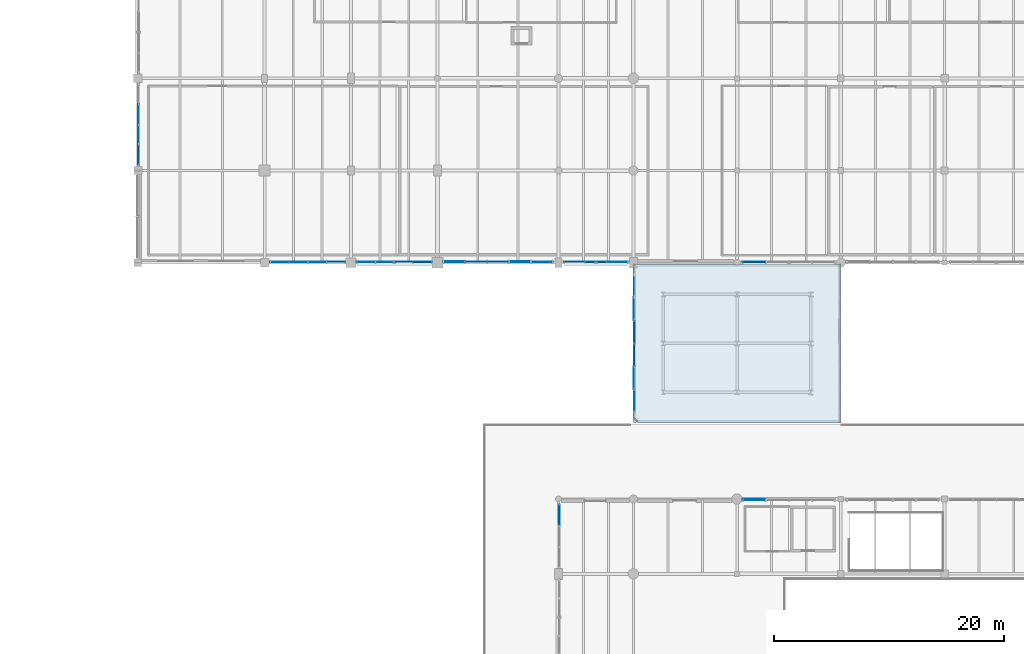
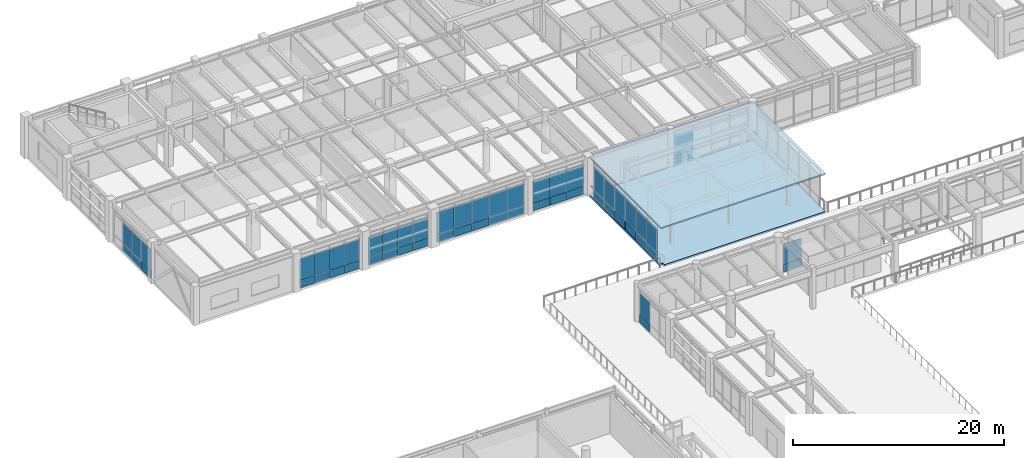
# One storey, part 158 of 200: 56 plates, 2 slabs, 9 elements without a shape of their own.
"""IFC4 building model written with IfcOpenShell, lengths in metres."""

from ifc_helpers import new_model, si_unit, direction, frame, origin, origin_2d, place, context, subcontext, project, spatial, polyline, rectangle, outline, extrude, material, layer, layer_set, type_object, element, aggregate, save


model = new_model("IFC4")

# Units and contexts
model_context = context("Model", 3, precision=1e-05, world=origin(), true_north=direction((0.0, 1.0)))
body_context = subcontext(model_context, "Body", "Model", "MODEL_VIEW")
ifc_project = project(units=[si_unit("LENGTHUNIT", "METRE"), si_unit("AREAUNIT", "SQUARE_METRE"), si_unit("VOLUMEUNIT", "CUBIC_METRE"), si_unit("PLANEANGLEUNIT", "RADIAN"), si_unit("MASSUNIT", "GRAM", prefix="KILO"), si_unit("THERMODYNAMICTEMPERATUREUNIT", "KELVIN"), si_unit("POWERUNIT", "WATT")], contexts=[model_context])

# Site, building, storey
site_placement = place(None, origin())
site = spatial("IfcSite", under=ifc_project, at=site_placement, CompositionType="ELEMENT")
building_placement = place(site_placement, origin())
building = spatial("IfcBuilding", under=site, at=building_placement, Name="Tepalcoro Natatorium and Aquatics Centre", CompositionType="ELEMENT")
storey_placement = place(building_placement, frame((0.0, 0.0, 5.39990234375)))
storey = spatial("IfcBuildingStorey", under=building, at=storey_placement, Name="L01", CompositionType="ELEMENT", Elevation=5.39990234375)

# Curtain wall, plate
ifc_material_1 = material(Name="Bronze-Anodised Extruded Aluminium Alloy EN AW-6063 T6", Category="aluminium")
curtain_wall_type_1 = type_object("IfcCurtainWallType", Name="CW_V3_FOYER", PredefinedType="USERDEFINED", material=ifc_material_1)
curtain_wall_1_placement = place(storey_placement, origin())
curtain_wall_1 = element("IfcCurtainWall", 1, at=curtain_wall_1_placement, inside=storey, type_object=curtain_wall_type_1, Name="V1 L01 W Unitised Curtain Wall Bay 8", ObjectType="UNITISED STOREFRONT", PredefinedType="USERDEFINED")
ifc_material_2 = material(Name="Solar-Control Bronze Tempered Low-E Double Glazing", Category="glass")
ifc_layer_1 = layer(ifc_material_2, 0.048095703125)
ifc_layer_set_1 = layer_set([ifc_layer_1], Name="Solar-Control Bronze Tempered Low-E Double Glazing")
plate_type_1 = type_object("IfcPlateType", Name="PL_ACOUSTIC_IGU_48", PredefinedType="CURTAIN_PANEL", material=ifc_layer_set_1)
plate_1_placement = place(storey_placement, frame((46.5712890625, 64.0966796875, 0.9599609375), z_axis=(0.0, 0.0, 1.0), x_axis=(1.0, 0.0, 0.0)))
plate_1 = element("IfcPlate", 2, at=plate_1_placement, type_object=plate_type_1, Name="CW_V3_FOYER Insulated Glazing Unit", PredefinedType="CURTAIN_PANEL", context=body_context, shape_type="SweptSolid", body=[
    extrude(rectangle(XDim=0.048095703125, YDim=1.82666015625, at=origin_2d()), origin(), (0.0, 0.0, 1.0), 2.469970703125),
])

curtain_wall_2_placement = place(storey_placement, origin())
curtain_wall_2 = element("IfcCurtainWall", 3, at=curtain_wall_2_placement, inside=storey, type_object=curtain_wall_type_1, Name="V4 L01 S Unitised Curtain Wall Bay 2", ObjectType="UNITISED STOREFRONT", PredefinedType="USERDEFINED")
plate_2_placement = place(storey_placement, frame((25.5673828125, 86.0712890625, 0.9599609375), z_axis=(0.0, 0.0, 1.0), x_axis=(1.0, 0.0, 0.0)))
plate_2 = element("IfcPlate", 4, at=plate_2_placement, type_object=plate_type_1, Name="CW_V3_FOYER Insulated Glazing Unit", PredefinedType="CURTAIN_PANEL", context=body_context, shape_type="SweptSolid", body=[
    extrude(rectangle(XDim=1.614990234375, YDim=0.048095703125, at=origin_2d()), origin(), (0.0, 0.0, 1.0), 2.4140625),
])

curtain_wall_type_2 = type_object("IfcCurtainWallType", Name="CW_V4_VILLAGE", PredefinedType="USERDEFINED", material=ifc_material_1)
curtain_wall_3_placement = place(storey_placement, origin())
curtain_wall_3 = element("IfcCurtainWall", 5, at=curtain_wall_3_placement, inside=storey, type_object=curtain_wall_type_2, Name="V4 L01 S Unitised Curtain Wall Bay 3", ObjectType="UNITISED STOREFRONT", PredefinedType="USERDEFINED")
plate_3_placement = place(storey_placement, frame((31.4326171875, 86.0712890625, 0.960205078125), z_axis=(0.0, 0.0, 1.0), x_axis=(1.0, 0.0, 0.0)))
plate_3 = element("IfcPlate", 6, at=plate_3_placement, type_object=plate_type_1, Name="CW_V4_VILLAGE Insulated Glazing Unit", PredefinedType="CURTAIN_PANEL", context=body_context, shape_type="SweptSolid", body=[
    extrude(rectangle(XDim=1.614990234375, YDim=0.048095703125, at=origin_2d()), origin(), (0.0, 0.0, 1.0), 2.337890625),
])

# Curtain wall, plates
curtain_wall_type_3 = type_object("IfcCurtainWallType", Name="CW_V5_LOWER", PredefinedType="USERDEFINED", material=ifc_material_1)
curtain_wall_4_placement = place(storey_placement, origin())
curtain_wall_4 = element("IfcCurtainWall", 7, at=curtain_wall_4_placement, inside=storey, type_object=curtain_wall_type_3, Name="V4 L01 S Unitised Curtain Wall Bay 4", ObjectType="UNITISED STOREFRONT", PredefinedType="USERDEFINED")
plate_4_placement = place(storey_placement, frame((37.43408203125, 86.080078125, 0.9599609375), z_axis=(0.0, 0.0, 1.0), x_axis=(1.0, 0.0, 0.0)))
plate_4 = element("IfcPlate", 8, at=plate_4_placement, type_object=plate_type_1, Name="CW_V5_LOWER Insulated Glazing Unit", PredefinedType="CURTAIN_PANEL", context=body_context, shape_type="SweptSolid", body=[
    extrude(rectangle(XDim=1.887939453125, YDim=0.048095703125, at=origin_2d()), origin(), (0.0, 0.0, 1.0), 2.537109375),
])
plate_5_placement = place(storey_placement, frame((43.157958984375, 86.080078125, 0.9599609375), z_axis=(0.0, 0.0, 1.0), x_axis=(1.0, 0.0, 0.0)))
plate_5 = element("IfcPlate", 9, at=plate_5_placement, type_object=plate_type_1, Name="CW_V5_LOWER Insulated Glazing Unit", PredefinedType="CURTAIN_PANEL", context=body_context, shape_type="SweptSolid", body=[
    extrude(rectangle(XDim=1.887939453125, YDim=0.048095703125, at=origin_2d()), origin(), (0.0, 0.0, 1.0), 2.537109375),
])

# Curtain wall, plate
curtain_wall_type_4 = type_object("IfcCurtainWallType", Name="CW_V5_UPPER", PredefinedType="USERDEFINED", material=ifc_material_1)
curtain_wall_5_placement = place(storey_placement, origin())
curtain_wall_5 = element("IfcCurtainWall", 10, at=curtain_wall_5_placement, inside=storey, type_object=curtain_wall_type_4, Name="V4 L01 S Unitised Curtain Wall Bay 5", ObjectType="FACETED SOLAR GLAZING", PredefinedType="USERDEFINED")
plate_6_placement = place(storey_placement, frame((51.5966796875, 86.0712890625, 0.9599609375), z_axis=(0.0, 0.0, 1.0), x_axis=(1.0, 0.0, 0.0)))
plate_6 = element("IfcPlate", 11, at=plate_6_placement, type_object=plate_type_1, Name="CW_V5_UPPER Insulated Glazing Unit", PredefinedType="CURTAIN_PANEL", context=body_context, shape_type="SweptSolid", body=[
    extrude(rectangle(XDim=1.82666015625, YDim=0.048095703125, at=origin_2d()), origin(), (0.0, 0.0, 1.0), 2.489990234375),
])

curtain_wall_type_5 = type_object("IfcCurtainWallType", Name="CW_LEAN_T1_NS", PredefinedType="USERDEFINED", material=ifc_material_1)
curtain_wall_6_placement = place(storey_placement, origin())
curtain_wall_6 = element("IfcCurtainWall", 12, at=curtain_wall_6_placement, inside=storey, type_object=curtain_wall_type_5, Name="V4 L01 W Unitised Curtain Wall Bay 2", ObjectType="FACETED SOLAR GLAZING", PredefinedType="USERDEFINED")
plate_7_placement = place(storey_placement, frame((10.06494140625, 95.360107421875, 0.960205078125), z_axis=(0.0, 0.0, 1.0), x_axis=(1.0, 0.0, 0.0)))
plate_7 = element("IfcPlate", 13, at=plate_7_placement, type_object=plate_type_1, Name="CW_LEAN_T1_NS Insulated Glazing Unit", PredefinedType="CURTAIN_PANEL", context=body_context, shape_type="SweptSolid", body=[
    extrude(rectangle(XDim=0.048095703125, YDim=1.739990234375, at=origin_2d()), origin(), (0.0, 0.0, 1.0), 2.41796875),
])

# Curtain wall, plates
curtain_wall_type_6 = type_object("IfcCurtainWallType", Name="CW_LINK_150", PredefinedType="USERDEFINED", material=ifc_material_1)
curtain_wall_7_placement = place(storey_placement, origin())
curtain_wall_7 = element("IfcCurtainWall", 14, at=curtain_wall_7_placement, inside=storey, type_object=curtain_wall_type_6, Name="West Court Swimmers Arcade Glazed Wall W L01", ObjectType="UNITISED STOREFRONT", PredefinedType="USERDEFINED")
plate_8_placement = place(storey_placement, frame((53.080078125, 74.0, 0.9599609375), z_axis=(0.0, 0.0, 1.0), x_axis=(1.0, 0.0, 0.0)))
plate_8 = element("IfcPlate", 15, at=plate_8_placement, type_object=plate_type_1, Name="CW_LINK_150 Insulated Glazing Unit", PredefinedType="CURTAIN_PANEL", context=body_context, shape_type="SweptSolid", body=[
    extrude(rectangle(XDim=0.048095703125, YDim=1.97998046875, at=origin_2d()), origin(), (0.0, 0.0, 1.0), 2.679931640625),
])
plate_9_placement = place(storey_placement, frame((53.080078125, 80.0, 0.9599609375), z_axis=(0.0, 0.0, 1.0), x_axis=(1.0, 0.0, 0.0)))
plate_9 = element("IfcPlate", 16, at=plate_9_placement, type_object=plate_type_1, Name="CW_LINK_150 Insulated Glazing Unit", PredefinedType="CURTAIN_PANEL", context=body_context, shape_type="SweptSolid", body=[
    extrude(rectangle(XDim=0.048095703125, YDim=1.97998046875, at=origin_2d()), origin(), (0.0, 0.0, 1.0), 2.679931640625),
])

# Curtain wall, plate
curtain_wall_type_7 = type_object("IfcCurtainWallType", Name="CW_LEAN_T2_NS", PredefinedType="USERDEFINED", material=ifc_material_1)
curtain_wall_8_placement = place(storey_placement, origin())
curtain_wall_8 = element("IfcCurtainWall", 17, at=curtain_wall_8_placement, inside=storey, type_object=curtain_wall_type_7, Name="V1 L01 N Unitised Curtain Wall Bay 3", ObjectType="FACETED SOLAR GLAZING", PredefinedType="USERDEFINED")
ifc_layer_2 = layer(ifc_material_2, 0.028076171875)
ifc_layer_set_2 = layer_set([ifc_layer_2], Name="Solar-Control Bronze Tempered Low-E Double Glazing")
plate_type_2 = type_object("IfcPlateType", Name="PL_BRONZE_IGU_28", PredefinedType="CURTAIN_PANEL", material=ifc_layer_set_2)
plate_10_placement = place(storey_placement, frame((63.485107421875, 65.419921875, 0.9599609375), z_axis=(0.0, 0.0, 1.0), x_axis=(1.0, 0.0, 0.0)))
plate_10 = element("IfcPlate", 18, at=plate_10_placement, type_object=plate_type_2, Name="CW_LEAN_T2_NS Insulated Glazing Unit", PredefinedType="CURTAIN_PANEL", context=body_context, shape_type="SweptSolid", body=[
    extrude(rectangle(XDim=1.989990234375, YDim=0.028076171875, at=origin_2d()), origin(), (0.0, 0.0, 1.0), 2.318115234375),
])

# Plate
plate_11_placement = place(storey_placement, frame((23.9326171875, 86.0712890625, 0.9599609375), z_axis=(0.0, 0.0, 1.0), x_axis=(1.0, 0.0, 0.0)))
plate_11 = element("IfcPlate", 19, at=plate_11_placement, type_object=plate_type_2, Name="CW_V3_FOYER Insulated Glazing Unit", PredefinedType="CURTAIN_PANEL", context=body_context, shape_type="SweptSolid", body=[
    extrude(rectangle(XDim=1.614990234375, YDim=0.028076171875, at=origin_2d()), origin(), (0.0, 0.0, 1.0), 2.4140625),
])

plate_12_placement = place(storey_placement, frame((29.797607421875, 86.0712890625, 0.960205078125), z_axis=(0.0, 0.0, 1.0), x_axis=(1.0, 0.0, 0.0)))
plate_12 = element("IfcPlate", 20, at=plate_12_placement, type_object=plate_type_2, Name="CW_V4_VILLAGE Insulated Glazing Unit", PredefinedType="CURTAIN_PANEL", context=body_context, shape_type="SweptSolid", body=[
    extrude(rectangle(XDim=1.614990234375, YDim=0.028076171875, at=origin_2d()), origin(), (0.0, 0.0, 1.0), 2.337890625),
])

plate_13_placement = place(storey_placement, frame((34.702392578125, 86.0712890625, 0.960205078125), z_axis=(0.0, 0.0, 1.0), x_axis=(1.0, 0.0, 0.0)))
plate_13 = element("IfcPlate", 21, at=plate_13_placement, type_object=plate_type_2, Name="CW_V4_VILLAGE Insulated Glazing Unit", PredefinedType="CURTAIN_PANEL", context=body_context, shape_type="SweptSolid", body=[
    extrude(rectangle(XDim=1.614990234375, YDim=0.028076171875, at=origin_2d()), origin(), (0.0, 0.0, 1.0), 2.337890625),
])

plate_14_placement = place(storey_placement, frame((41.25, 86.080078125, 0.9599609375), z_axis=(0.0, 0.0, 1.0), x_axis=(1.0, 0.0, 0.0)))
plate_14 = element("IfcPlate", 22, at=plate_14_placement, type_object=plate_type_2, Name="CW_V5_LOWER Insulated Glazing Unit", PredefinedType="CURTAIN_PANEL", context=body_context, shape_type="SweptSolid", body=[
    extrude(rectangle(XDim=1.887939453125, YDim=0.028076171875, at=origin_2d()), origin(), (0.0, 0.0, 1.0), 2.537109375),
])

plate_15_placement = place(storey_placement, frame((49.75, 86.0712890625, 0.9599609375), z_axis=(0.0, 0.0, 1.0), x_axis=(1.0, 0.0, 0.0)))
plate_15 = element("IfcPlate", 23, at=plate_15_placement, type_object=plate_type_2, Name="CW_V5_UPPER Insulated Glazing Unit", PredefinedType="CURTAIN_PANEL", context=body_context, shape_type="SweptSolid", body=[
    extrude(rectangle(XDim=1.82666015625, YDim=0.028076171875, at=origin_2d()), origin(), (0.0, 0.0, 1.0), 2.489990234375),
])

# Curtain wall, plate
curtain_wall_type_8 = type_object("IfcCurtainWallType", Name="CW_LEAN_T1_EW", PredefinedType="USERDEFINED", material=ifc_material_1)
curtain_wall_9_placement = place(storey_placement, origin())
curtain_wall_9 = element("IfcCurtainWall", 24, at=curtain_wall_9_placement, inside=storey, type_object=curtain_wall_type_8, Name="V4 L01 S Unitised Curtain Wall Bay 7", ObjectType="FACETED SOLAR GLAZING", PredefinedType="USERDEFINED")
plate_16_placement = place(storey_placement, frame((63.485107421875, 86.0712890625, 0.960205078125), z_axis=(0.0, 0.0, 1.0), x_axis=(1.0, 0.0, 0.0)))
plate_16 = element("IfcPlate", 25, at=plate_16_placement, type_object=plate_type_2, Name="CW_LEAN_T1_EW Insulated Glazing Unit", PredefinedType="CURTAIN_PANEL", context=body_context, shape_type="SweptSolid", body=[
    extrude(rectangle(XDim=1.989990234375, YDim=0.028076171875, at=origin_2d()), origin(), (0.0, 0.0, 1.0), 2.337890625),
])

# Plate
plate_17_placement = place(storey_placement, frame((10.06494140625, 98.8798828125, 0.960205078125), z_axis=(0.0, 0.0, 1.0), x_axis=(1.0, 0.0, 0.0)))
plate_17 = element("IfcPlate", 26, at=plate_17_placement, type_object=plate_type_2, Name="CW_LEAN_T1_NS Insulated Glazing Unit", PredefinedType="CURTAIN_PANEL", context=body_context, shape_type="SweptSolid", body=[
    extrude(rectangle(XDim=0.028076171875, YDim=1.739990234375, at=origin_2d()), origin(), (0.0, 0.0, 1.0), 2.41796875),
])

plate_18_placement = place(storey_placement, frame((53.080078125, 78.0, 0.9599609375), z_axis=(0.0, 0.0, 1.0), x_axis=(1.0, 0.0, 0.0)))
plate_18 = element("IfcPlate", 27, at=plate_18_placement, type_object=plate_type_2, Name="CW_LINK_150 Insulated Glazing Unit", PredefinedType="CURTAIN_PANEL", context=body_context, shape_type="SweptSolid", body=[
    extrude(rectangle(XDim=0.028076171875, YDim=1.97998046875, at=origin_2d()), origin(), (0.0, 0.0, 1.0), 2.679931640625),
])

plate_19_placement = place(storey_placement, frame((53.080078125, 84.0, 0.9599609375), z_axis=(0.0, 0.0, 1.0), x_axis=(1.0, 0.0, 0.0)))
plate_19 = element("IfcPlate", 28, at=plate_19_placement, type_object=plate_type_2, Name="CW_LINK_150 Insulated Glazing Unit", PredefinedType="CURTAIN_PANEL", context=body_context, shape_type="SweptSolid", body=[
    extrude(rectangle(XDim=0.028076171875, YDim=1.97998046875, at=origin_2d()), origin(), (0.0, 0.0, 1.0), 2.679931640625),
])

ifc_material_3 = material(Name="Jalisco Cantera Rosa Volcanic Tuff Ashlar Masonry", Category="masonry")
ifc_layer_3 = layer(ifc_material_3, 0.090087890625)
ifc_layer_set_3 = layer_set([ifc_layer_3], Name="Jalisco Cantera Rosa Volcanic Tuff Ashlar Masonry")
plate_type_3 = type_object("IfcPlateType", Name="PL_CANTERA_90", PredefinedType="SHEET", material=ifc_layer_set_3)
plate_20_placement = place(storey_placement, frame((46.5712890625, 64.0966796875, 0.044921875), z_axis=(0.0, 0.0, 1.0), x_axis=(1.0, 0.0, 0.0)))
plate_20 = element("IfcPlate", 29, at=plate_20_placement, type_object=plate_type_3, Name="CW_V3_FOYER Spandrel & Screen Panel", PredefinedType="SHEET", context=body_context, shape_type="SweptSolid", body=[
    extrude(rectangle(XDim=0.090087890625, YDim=1.82666015625, at=origin_2d()), origin(), (0.0, 0.0, 1.0), 0.909912109375),
])

aggregate(curtain_wall_1, [plate_1, plate_20])

plate_21_placement = place(storey_placement, frame((27.202392578125, 86.0712890625, 0.044921875), z_axis=(0.0, 0.0, 1.0), x_axis=(1.0, 0.0, 0.0)))
plate_21 = element("IfcPlate", 30, at=plate_21_placement, type_object=plate_type_3, Name="CW_V3_FOYER Spandrel & Screen Panel", PredefinedType="SHEET", context=body_context, shape_type="SweptSolid", body=[
    extrude(rectangle(XDim=1.614990234375, YDim=0.090087890625, at=origin_2d()), origin(), (0.0, 0.0, 1.0), 0.909912109375),
])

plate_22_placement = place(storey_placement, frame((33.0673828125, 86.0712890625, 0.044921875), z_axis=(0.0, 0.0, 1.0), x_axis=(1.0, 0.0, 0.0)))
plate_22 = element("IfcPlate", 31, at=plate_22_placement, type_object=plate_type_3, Name="CW_V4_VILLAGE Spandrel & Screen Panel", PredefinedType="SHEET", context=body_context, shape_type="SweptSolid", body=[
    extrude(rectangle(XDim=1.614990234375, YDim=0.090087890625, at=origin_2d()), origin(), (0.0, 0.0, 1.0), 0.909912109375),
])

plate_23_placement = place(storey_placement, frame((39.342041015625, 86.080078125, 0.044921875), z_axis=(0.0, 0.0, 1.0), x_axis=(1.0, 0.0, 0.0)))
plate_23 = element("IfcPlate", 32, at=plate_23_placement, type_object=plate_type_3, Name="CW_V5_LOWER Spandrel & Screen Panel", PredefinedType="SHEET", context=body_context, shape_type="SweptSolid", body=[
    extrude(rectangle(XDim=1.887939453125, YDim=0.090087890625, at=origin_2d()), origin(), (0.0, 0.0, 1.0), 0.909912109375),
])

plate_24_placement = place(storey_placement, frame((47.9033203125, 86.0712890625, 0.044921875), z_axis=(0.0, 0.0, 1.0), x_axis=(1.0, 0.0, 0.0)))
plate_24 = element("IfcPlate", 33, at=plate_24_placement, type_object=plate_type_3, Name="CW_V5_UPPER Spandrel & Screen Panel", PredefinedType="SHEET", context=body_context, shape_type="SweptSolid", body=[
    extrude(rectangle(XDim=1.82666015625, YDim=0.090087890625, at=origin_2d()), origin(), (0.0, 0.0, 1.0), 0.909912109375),
])

plate_25_placement = place(storey_placement, frame((53.080078125, 78.0, 0.044921875), z_axis=(0.0, 0.0, 1.0), x_axis=(1.0, 0.0, 0.0)))
plate_25 = element("IfcPlate", 34, at=plate_25_placement, type_object=plate_type_3, Name="CW_LINK_150 Spandrel & Screen Panel", PredefinedType="SHEET", context=body_context, shape_type="SweptSolid", body=[
    extrude(rectangle(XDim=0.090087890625, YDim=1.97998046875, at=origin_2d()), origin(), (0.0, 0.0, 1.0), 0.909912109375),
])

ifc_material_4 = material(Name="Clear Tempered Low-E Safety Glazing", Category="glass")
ifc_layer_4 = layer(ifc_material_4, 0.011962890625)
ifc_layer_set_4 = layer_set([ifc_layer_4], Name="Clear Tempered Low-E Safety Glazing")
plate_type_4 = type_object("IfcPlateType", Name="PL_GLASS_12", PredefinedType="CURTAIN_PANEL", material=ifc_layer_set_4)
plate_26_placement = place(storey_placement, frame((22.297607421875, 86.0712890625, 0.9599609375), z_axis=(0.0, 0.0, 1.0), x_axis=(1.0, 0.0, 0.0)))
plate_26 = element("IfcPlate", 35, at=plate_26_placement, type_object=plate_type_4, Name="CW_V3_FOYER Insulated Glazing Unit", PredefinedType="CURTAIN_PANEL", context=body_context, shape_type="SweptSolid", body=[
    extrude(rectangle(XDim=1.614990234375, YDim=0.011962890625, at=origin_2d()), origin(), (0.0, 0.0, 1.0), 2.4140625),
])

plate_27_placement = place(storey_placement, frame((27.202392578125, 86.0712890625, 0.9599609375), z_axis=(0.0, 0.0, 1.0), x_axis=(1.0, 0.0, 0.0)))
plate_27 = element("IfcPlate", 36, at=plate_27_placement, type_object=plate_type_4, Name="CW_V3_FOYER Insulated Glazing Unit", PredefinedType="CURTAIN_PANEL", context=body_context, shape_type="SweptSolid", body=[
    extrude(rectangle(XDim=1.614990234375, YDim=0.011962890625, at=origin_2d()), origin(), (0.0, 0.0, 1.0), 2.4140625),
])

plate_28_placement = place(storey_placement, frame((33.0673828125, 86.0712890625, 0.960205078125), z_axis=(0.0, 0.0, 1.0), x_axis=(1.0, 0.0, 0.0)))
plate_28 = element("IfcPlate", 37, at=plate_28_placement, type_object=plate_type_4, Name="CW_V4_VILLAGE Insulated Glazing Unit", PredefinedType="CURTAIN_PANEL", context=body_context, shape_type="SweptSolid", body=[
    extrude(rectangle(XDim=1.614990234375, YDim=0.011962890625, at=origin_2d()), origin(), (0.0, 0.0, 1.0), 2.337890625),
])

plate_29_placement = place(storey_placement, frame((39.342041015625, 86.080078125, 0.9599609375), z_axis=(0.0, 0.0, 1.0), x_axis=(1.0, 0.0, 0.0)))
plate_29 = element("IfcPlate", 38, at=plate_29_placement, type_object=plate_type_4, Name="CW_V5_LOWER Insulated Glazing Unit", PredefinedType="CURTAIN_PANEL", context=body_context, shape_type="SweptSolid", body=[
    extrude(rectangle(XDim=1.887939453125, YDim=0.011962890625, at=origin_2d()), origin(), (0.0, 0.0, 1.0), 2.537109375),
])

plate_30_placement = place(storey_placement, frame((45.06591796875, 86.080078125, 0.9599609375), z_axis=(0.0, 0.0, 1.0), x_axis=(1.0, 0.0, 0.0)))
plate_30 = element("IfcPlate", 39, at=plate_30_placement, type_object=plate_type_4, Name="CW_V5_LOWER Insulated Glazing Unit", PredefinedType="CURTAIN_PANEL", context=body_context, shape_type="SweptSolid", body=[
    extrude(rectangle(XDim=1.887939453125, YDim=0.011962890625, at=origin_2d()), origin(), (0.0, 0.0, 1.0), 2.537109375),
])

plate_31_placement = place(storey_placement, frame((47.9033203125, 86.0712890625, 0.9599609375), z_axis=(0.0, 0.0, 1.0), x_axis=(1.0, 0.0, 0.0)))
plate_31 = element("IfcPlate", 40, at=plate_31_placement, type_object=plate_type_4, Name="CW_V5_UPPER Insulated Glazing Unit", PredefinedType="CURTAIN_PANEL", context=body_context, shape_type="SweptSolid", body=[
    extrude(rectangle(XDim=1.82666015625, YDim=0.011962890625, at=origin_2d()), origin(), (0.0, 0.0, 1.0), 2.489990234375),
])

plate_32_placement = place(storey_placement, frame((10.06494140625, 97.1201171875, 0.960205078125), z_axis=(0.0, 0.0, 1.0), x_axis=(1.0, 0.0, 0.0)))
plate_32 = element("IfcPlate", 41, at=plate_32_placement, type_object=plate_type_4, Name="CW_LEAN_T1_NS Insulated Glazing Unit", PredefinedType="CURTAIN_PANEL", context=body_context, shape_type="SweptSolid", body=[
    extrude(rectangle(XDim=0.011962890625, YDim=1.739990234375, at=origin_2d()), origin(), (0.0, 0.0, 1.0), 2.41796875),
])

plate_33_placement = place(storey_placement, frame((53.080078125, 76.0, 0.9599609375), z_axis=(0.0, 0.0, 1.0), x_axis=(1.0, 0.0, 0.0)))
plate_33 = element("IfcPlate", 42, at=plate_33_placement, type_object=plate_type_4, Name="CW_LINK_150 Insulated Glazing Unit", PredefinedType="CURTAIN_PANEL", context=body_context, shape_type="SweptSolid", body=[
    extrude(rectangle(XDim=0.011962890625, YDim=1.97998046875, at=origin_2d()), origin(), (0.0, 0.0, 1.0), 2.679931640625),
])

plate_34_placement = place(storey_placement, frame((53.080078125, 82.0, 0.9599609375), z_axis=(0.0, 0.0, 1.0), x_axis=(1.0, 0.0, 0.0)))
plate_34 = element("IfcPlate", 43, at=plate_34_placement, type_object=plate_type_4, Name="CW_LINK_150 Insulated Glazing Unit", PredefinedType="CURTAIN_PANEL", context=body_context, shape_type="SweptSolid", body=[
    extrude(rectangle(XDim=0.011962890625, YDim=1.97998046875, at=origin_2d()), origin(), (0.0, 0.0, 1.0), 2.679931640625),
])

ifc_material_5 = material(Name="Volcanic Recinto Basalt Ashlar Masonry", Category="masonry")
ifc_layer_5 = layer(ifc_material_5, 0.110107421875)
ifc_layer_set_5 = layer_set([ifc_layer_5], Name="Volcanic Recinto Basalt Ashlar Masonry")
plate_type_5 = type_object("IfcPlateType", Name="PL_RECINTO_110", PredefinedType="SHEET", material=ifc_layer_set_5)
plate_35_placement = place(storey_placement, frame((34.702392578125, 86.0712890625, 0.044921875), z_axis=(0.0, 0.0, 1.0), x_axis=(1.0, 0.0, 0.0)))
plate_35 = element("IfcPlate", 44, at=plate_35_placement, type_object=plate_type_5, Name="CW_V4_VILLAGE Spandrel & Screen Panel", PredefinedType="SHEET", context=body_context, shape_type="SweptSolid", body=[
    extrude(rectangle(XDim=1.614990234375, YDim=0.110107421875, at=origin_2d()), origin(), (0.0, 0.0, 1.0), 0.909912109375),
])

plate_36_placement = place(storey_placement, frame((41.25, 86.080078125, 0.044921875), z_axis=(0.0, 0.0, 1.0), x_axis=(1.0, 0.0, 0.0)))
plate_36 = element("IfcPlate", 45, at=plate_36_placement, type_object=plate_type_5, Name="CW_V5_LOWER Spandrel & Screen Panel", PredefinedType="SHEET", context=body_context, shape_type="SweptSolid", body=[
    extrude(rectangle(XDim=1.887939453125, YDim=0.110107421875, at=origin_2d()), origin(), (0.0, 0.0, 1.0), 0.909912109375),
])

plate_37_placement = place(storey_placement, frame((49.75, 86.0712890625, 0.044921875), z_axis=(0.0, 0.0, 1.0), x_axis=(1.0, 0.0, 0.0)))
plate_37 = element("IfcPlate", 46, at=plate_37_placement, type_object=plate_type_5, Name="CW_V5_UPPER Spandrel & Screen Panel", PredefinedType="SHEET", context=body_context, shape_type="SweptSolid", body=[
    extrude(rectangle(XDim=1.82666015625, YDim=0.110107421875, at=origin_2d()), origin(), (0.0, 0.0, 1.0), 0.909912109375),
])

plate_38_placement = place(storey_placement, frame((63.485107421875, 86.0712890625, 0.044921875), z_axis=(0.0, 0.0, 1.0), x_axis=(1.0, 0.0, 0.0)))
plate_38 = element("IfcPlate", 47, at=plate_38_placement, type_object=plate_type_5, Name="CW_LEAN_T1_EW Spandrel & Screen Panel", PredefinedType="SHEET", context=body_context, shape_type="SweptSolid", body=[
    extrude(rectangle(XDim=1.989990234375, YDim=0.110107421875, at=origin_2d()), origin(), (0.0, 0.0, 1.0), 0.909912109375),
])

aggregate(curtain_wall_9, [plate_16, plate_38])

plate_39_placement = place(storey_placement, frame((10.06494140625, 95.360107421875, 0.044921875), z_axis=(0.0, 0.0, 1.0), x_axis=(1.0, 0.0, 0.0)))
plate_39 = element("IfcPlate", 48, at=plate_39_placement, type_object=plate_type_5, Name="CW_LEAN_T1_NS Spandrel & Screen Panel", PredefinedType="SHEET", context=body_context, shape_type="SweptSolid", body=[
    extrude(rectangle(XDim=0.110107421875, YDim=1.739990234375, at=origin_2d()), origin(), (0.0, 0.0, 1.0), 0.909912109375),
])

plate_40_placement = place(storey_placement, frame((53.080078125, 80.0, 0.044921875), z_axis=(0.0, 0.0, 1.0), x_axis=(1.0, 0.0, 0.0)))
plate_40 = element("IfcPlate", 49, at=plate_40_placement, type_object=plate_type_5, Name="CW_LINK_150 Spandrel & Screen Panel", PredefinedType="SHEET", context=body_context, shape_type="SweptSolid", body=[
    extrude(rectangle(XDim=0.110107421875, YDim=1.97998046875, at=origin_2d()), origin(), (0.0, 0.0, 1.0), 0.909912109375),
])

ifc_layer_6 = layer(ifc_material_1, 0.050048828125)
ifc_layer_set_6 = layer_set([ifc_layer_6], Name="Bronze-Anodised Extruded Aluminium Alloy EN AW-6063 T6")
plate_type_6 = type_object("IfcPlateType", Name="PL_SCREEN_50", PredefinedType="SHEET", material=ifc_layer_set_6)
plate_41_placement = place(storey_placement, frame((23.9326171875, 86.0712890625, 0.044921875), z_axis=(0.0, 0.0, 1.0), x_axis=(1.0, 0.0, 0.0)))
plate_41 = element("IfcPlate", 50, at=plate_41_placement, type_object=plate_type_6, Name="CW_V3_FOYER Spandrel & Screen Panel", PredefinedType="SHEET", context=body_context, shape_type="SweptSolid", body=[
    extrude(rectangle(XDim=1.614990234375, YDim=0.050048828125, at=origin_2d()), origin(), (0.0, 0.0, 1.0), 0.909912109375),
])

plate_42_placement = place(storey_placement, frame((29.797607421875, 86.0712890625, 0.044921875), z_axis=(0.0, 0.0, 1.0), x_axis=(1.0, 0.0, 0.0)))
plate_42 = element("IfcPlate", 51, at=plate_42_placement, type_object=plate_type_6, Name="CW_V4_VILLAGE Spandrel & Screen Panel", PredefinedType="SHEET", context=body_context, shape_type="SweptSolid", body=[
    extrude(rectangle(XDim=1.614990234375, YDim=0.050048828125, at=origin_2d()), origin(), (0.0, 0.0, 1.0), 0.909912109375),
])

plate_43_placement = place(storey_placement, frame((45.06591796875, 86.080078125, 0.044921875), z_axis=(0.0, 0.0, 1.0), x_axis=(1.0, 0.0, 0.0)))
plate_43 = element("IfcPlate", 52, at=plate_43_placement, type_object=plate_type_6, Name="CW_V5_LOWER Spandrel & Screen Panel", PredefinedType="SHEET", context=body_context, shape_type="SweptSolid", body=[
    extrude(rectangle(XDim=1.887939453125, YDim=0.050048828125, at=origin_2d()), origin(), (0.0, 0.0, 1.0), 0.909912109375),
])

plate_44_placement = place(storey_placement, frame((10.06494140625, 98.8798828125, 0.044921875), z_axis=(0.0, 0.0, 1.0), x_axis=(1.0, 0.0, 0.0)))
plate_44 = element("IfcPlate", 53, at=plate_44_placement, type_object=plate_type_6, Name="CW_LEAN_T1_NS Spandrel & Screen Panel", PredefinedType="SHEET", context=body_context, shape_type="SweptSolid", body=[
    extrude(rectangle(XDim=0.050048828125, YDim=1.739990234375, at=origin_2d()), origin(), (0.0, 0.0, 1.0), 0.909912109375),
])

plate_45_placement = place(storey_placement, frame((53.080078125, 74.0, 0.044921875), z_axis=(0.0, 0.0, 1.0), x_axis=(1.0, 0.0, 0.0)))
plate_45 = element("IfcPlate", 54, at=plate_45_placement, type_object=plate_type_6, Name="CW_LINK_150 Spandrel & Screen Panel", PredefinedType="SHEET", context=body_context, shape_type="SweptSolid", body=[
    extrude(rectangle(XDim=0.050048828125, YDim=1.97998046875, at=origin_2d()), origin(), (0.0, 0.0, 1.0), 0.909912109375),
])

plate_46_placement = place(storey_placement, frame((53.080078125, 84.0, 0.044921875), z_axis=(0.0, 0.0, 1.0), x_axis=(1.0, 0.0, 0.0)))
plate_46 = element("IfcPlate", 55, at=plate_46_placement, type_object=plate_type_6, Name="CW_LINK_150 Spandrel & Screen Panel", PredefinedType="SHEET", context=body_context, shape_type="SweptSolid", body=[
    extrude(rectangle(XDim=0.050048828125, YDim=1.97998046875, at=origin_2d()), origin(), (0.0, 0.0, 1.0), 0.909912109375),
])

ifc_layer_7 = layer(ifc_material_1, 0.06005859375)
ifc_layer_set_7 = layer_set([ifc_layer_7], Name="Bronze-Anodised Extruded Aluminium Alloy EN AW-6063 T6")
plate_type_7 = type_object("IfcPlateType", Name="PL_SCREEN_60", PredefinedType="SHEET", material=ifc_layer_set_7)
plate_47_placement = place(storey_placement, frame((25.5673828125, 86.0712890625, 0.044921875), z_axis=(0.0, 0.0, 1.0), x_axis=(1.0, 0.0, 0.0)))
plate_47 = element("IfcPlate", 56, at=plate_47_placement, type_object=plate_type_7, Name="CW_V3_FOYER Spandrel & Screen Panel", PredefinedType="SHEET", context=body_context, shape_type="SweptSolid", body=[
    extrude(rectangle(XDim=1.614990234375, YDim=0.06005859375, at=origin_2d()), origin(), (0.0, 0.0, 1.0), 0.909912109375),
])

plate_48_placement = place(storey_placement, frame((31.4326171875, 86.0712890625, 0.044921875), z_axis=(0.0, 0.0, 1.0), x_axis=(1.0, 0.0, 0.0)))
plate_48 = element("IfcPlate", 57, at=plate_48_placement, type_object=plate_type_7, Name="CW_V4_VILLAGE Spandrel & Screen Panel", PredefinedType="SHEET", context=body_context, shape_type="SweptSolid", body=[
    extrude(rectangle(XDim=1.614990234375, YDim=0.06005859375, at=origin_2d()), origin(), (0.0, 0.0, 1.0), 0.909912109375),
])

aggregate(curtain_wall_3, [plate_12, plate_42, plate_3, plate_48, plate_28, plate_22, plate_13, plate_35])

plate_49_placement = place(storey_placement, frame((37.43408203125, 86.080078125, 0.044921875), z_axis=(0.0, 0.0, 1.0), x_axis=(1.0, 0.0, 0.0)))
plate_49 = element("IfcPlate", 58, at=plate_49_placement, type_object=plate_type_7, Name="CW_V5_LOWER Spandrel & Screen Panel", PredefinedType="SHEET", context=body_context, shape_type="SweptSolid", body=[
    extrude(rectangle(XDim=1.887939453125, YDim=0.06005859375, at=origin_2d()), origin(), (0.0, 0.0, 1.0), 0.909912109375),
])

plate_50_placement = place(storey_placement, frame((53.080078125, 76.0, 0.044921875), z_axis=(0.0, 0.0, 1.0), x_axis=(1.0, 0.0, 0.0)))
plate_50 = element("IfcPlate", 59, at=plate_50_placement, type_object=plate_type_7, Name="CW_LINK_150 Spandrel & Screen Panel", PredefinedType="SHEET", context=body_context, shape_type="SweptSolid", body=[
    extrude(rectangle(XDim=0.06005859375, YDim=1.97998046875, at=origin_2d()), origin(), (0.0, 0.0, 1.0), 0.909912109375),
])

ifc_material_6 = material(Name="Insulated Bronze Anodised Aluminium Spandrel Panel", Category="aluminium")
ifc_layer_8 = layer(ifc_material_6, 0.070068359375)
ifc_layer_set_8 = layer_set([ifc_layer_8], Name="Insulated Bronze Anodised Aluminium Spandrel Panel")
plate_type_8 = type_object("IfcPlateType", Name="PL_SPANDREL_70", PredefinedType="CURTAIN_PANEL", material=ifc_layer_set_8)
plate_51_placement = place(storey_placement, frame((63.485107421875, 65.419921875, 0.044921875), z_axis=(0.0, 0.0, 1.0), x_axis=(1.0, 0.0, 0.0)))
plate_51 = element("IfcPlate", 60, at=plate_51_placement, type_object=plate_type_8, Name="CW_LEAN_T2_NS Spandrel & Screen Panel", PredefinedType="CURTAIN_PANEL", context=body_context, shape_type="SweptSolid", body=[
    extrude(rectangle(XDim=1.989990234375, YDim=0.070068359375, at=origin_2d()), origin(), (0.0, 0.0, 1.0), 0.909912109375),
])

aggregate(curtain_wall_8, [plate_10, plate_51])

plate_52_placement = place(storey_placement, frame((22.297607421875, 86.0712890625, 0.044921875), z_axis=(0.0, 0.0, 1.0), x_axis=(1.0, 0.0, 0.0)))
plate_52 = element("IfcPlate", 61, at=plate_52_placement, type_object=plate_type_8, Name="CW_V3_FOYER Spandrel & Screen Panel", PredefinedType="CURTAIN_PANEL", context=body_context, shape_type="SweptSolid", body=[
    extrude(rectangle(XDim=1.614990234375, YDim=0.070068359375, at=origin_2d()), origin(), (0.0, 0.0, 1.0), 0.909912109375),
])

aggregate(curtain_wall_2, [plate_26, plate_52, plate_11, plate_41, plate_2, plate_47, plate_27, plate_21])

plate_53_placement = place(storey_placement, frame((43.157958984375, 86.080078125, 0.044921875), z_axis=(0.0, 0.0, 1.0), x_axis=(1.0, 0.0, 0.0)))
plate_53 = element("IfcPlate", 62, at=plate_53_placement, type_object=plate_type_8, Name="CW_V5_LOWER Spandrel & Screen Panel", PredefinedType="CURTAIN_PANEL", context=body_context, shape_type="SweptSolid", body=[
    extrude(rectangle(XDim=1.887939453125, YDim=0.070068359375, at=origin_2d()), origin(), (0.0, 0.0, 1.0), 0.909912109375),
])

aggregate(curtain_wall_4, [plate_4, plate_49, plate_29, plate_23, plate_14, plate_36, plate_5, plate_53, plate_30, plate_43])

plate_54_placement = place(storey_placement, frame((51.5966796875, 86.0712890625, 0.044921875), z_axis=(0.0, 0.0, 1.0), x_axis=(1.0, 0.0, 0.0)))
plate_54 = element("IfcPlate", 63, at=plate_54_placement, type_object=plate_type_8, Name="CW_V5_UPPER Spandrel & Screen Panel", PredefinedType="CURTAIN_PANEL", context=body_context, shape_type="SweptSolid", body=[
    extrude(rectangle(XDim=1.82666015625, YDim=0.070068359375, at=origin_2d()), origin(), (0.0, 0.0, 1.0), 0.909912109375),
])

aggregate(curtain_wall_5, [plate_31, plate_24, plate_15, plate_37, plate_6, plate_54])

plate_55_placement = place(storey_placement, frame((10.06494140625, 97.1201171875, 0.044921875), z_axis=(0.0, 0.0, 1.0), x_axis=(1.0, 0.0, 0.0)))
plate_55 = element("IfcPlate", 64, at=plate_55_placement, type_object=plate_type_8, Name="CW_LEAN_T1_NS Spandrel & Screen Panel", PredefinedType="CURTAIN_PANEL", context=body_context, shape_type="SweptSolid", body=[
    extrude(rectangle(XDim=0.070068359375, YDim=1.739990234375, at=origin_2d()), origin(), (0.0, 0.0, 1.0), 0.909912109375),
])

aggregate(curtain_wall_6, [plate_7, plate_39, plate_32, plate_55, plate_17, plate_44])

plate_56_placement = place(storey_placement, frame((53.080078125, 82.0, 0.044921875), z_axis=(0.0, 0.0, 1.0), x_axis=(1.0, 0.0, 0.0)))
plate_56 = element("IfcPlate", 65, at=plate_56_placement, type_object=plate_type_8, Name="CW_LINK_150 Spandrel & Screen Panel", PredefinedType="CURTAIN_PANEL", context=body_context, shape_type="SweptSolid", body=[
    extrude(rectangle(XDim=0.070068359375, YDim=1.97998046875, at=origin_2d()), origin(), (0.0, 0.0, 1.0), 0.909912109375),
])

aggregate(curtain_wall_7, [plate_8, plate_45, plate_33, plate_50, plate_18, plate_25, plate_9, plate_40, plate_34, plate_56, plate_19, plate_46])

# Slabs
ifc_material_7 = material(Name="Concrete C35/45 (fc 35 MPa)", Category="concrete")
ifc_layer_9 = layer(ifc_material_7, 0.219970703125)
ifc_layer_set_9 = layer_set([ifc_layer_9], Name="Concrete C35/45 (fc 35 MPa)")
slab_type_1 = type_object("IfcSlabType", Name="SL_FLOOR_220", PredefinedType="FLOOR", material=ifc_layer_set_9)
slab_1_placement = place(storey_placement, frame((0.0, 0.0, -0.219970703125)))
element("IfcSlab", 66, at=slab_1_placement, inside=storey, type_object=slab_type_1, Name="West Court Swimmers Arcade L01 Bridge Slab", PredefinedType="FLOOR", context=body_context, shape_type="SweptSolid", body=[
    extrude(outline(polyline([(53.0, 85.85009765625), (71.0, 85.85009765625), (71.0, 72.14990234375), (53.35009765625, 72.14990234375), (53.35009765625, 72.5), (53.0, 72.5), (53.0, 85.85009765625)])), origin(), (0.0, 0.0, 1.0), 0.219970703125),
])
ifc_layer_10 = layer(ifc_material_7, 0.159912109375)
ifc_layer_set_10 = layer_set([ifc_layer_10], Name="Concrete C35/45 (fc 35 MPa)")
slab_type_2 = type_object("IfcSlabType", Name="SL_ROOF_160", PredefinedType="ROOF", material=ifc_layer_set_10)
slab_2_placement = place(storey_placement, frame((0.0, 0.0, 4.239990234375)))
element("IfcSlab", 67, at=slab_2_placement, inside=storey, type_object=slab_type_2, Name="West Court Swimmers Arcade Roof Slab", PredefinedType="ROOF", context=body_context, shape_type="SweptSolid", body=[
    extrude(outline(polyline([(71.0, 72.14990234375), (71.0, 85.85009765625), (53.0, 85.85009765625), (53.0, 72.14990234375), (71.0, 72.14990234375)])), origin(), (0.0, 0.0, 1.0), 0.16015625),
])

save(model, "model.ifc")
